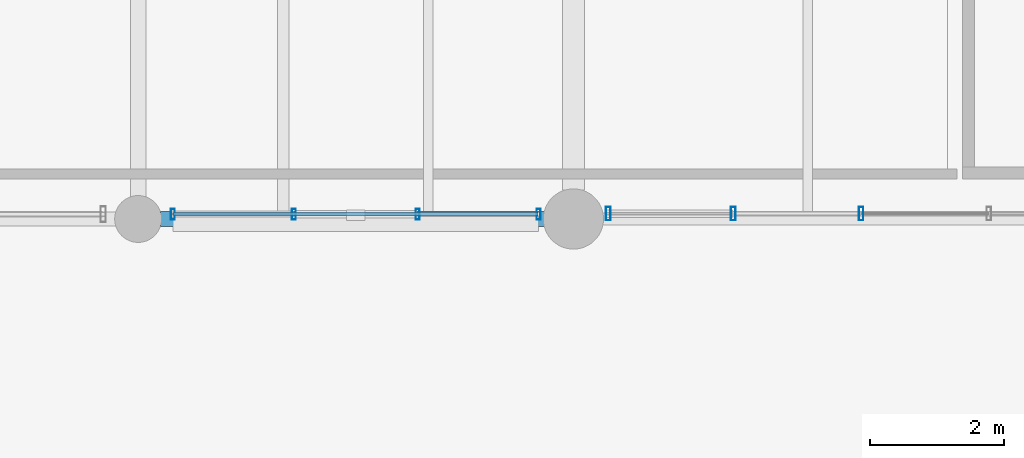
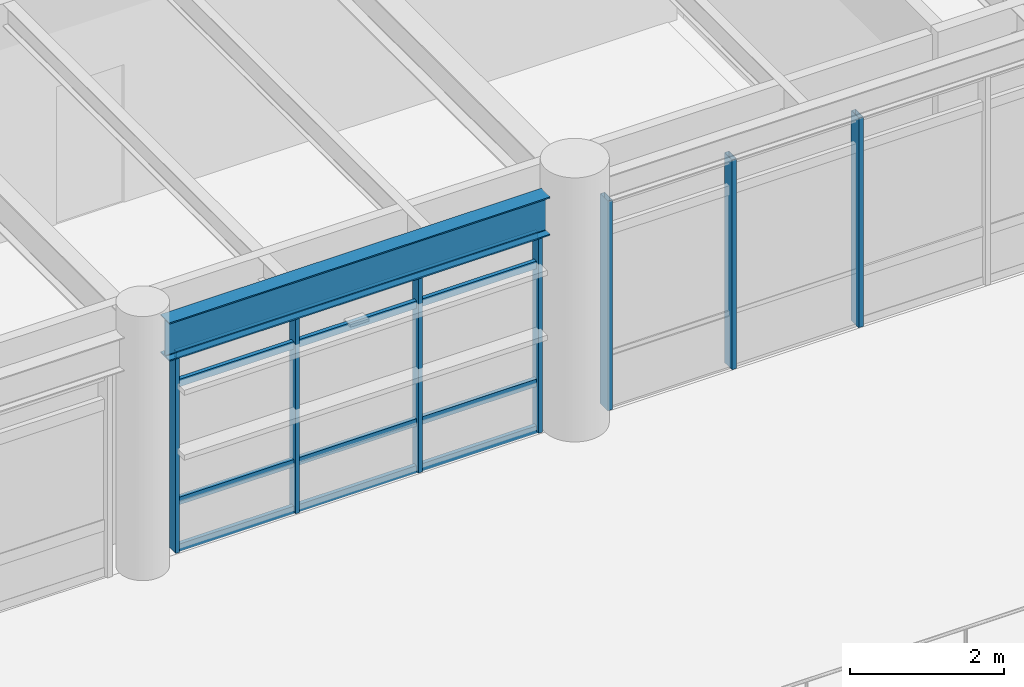
# One storey, part 8 of 56: 11 members, 1 beam, 2 elements without a shape of their own.
"""IFC4 building model written with IfcOpenShell, lengths in metres."""

from ifc_helpers import new_model, si_unit, direction, frame, origin, origin_2d, place, context, subcontext, project, spatial, hollow_rectangle, i_section, extrude, material, material_profile, profile_set, type_object, element, aggregate, save


model = new_model("IFC4")

# Units and contexts
model_context = context("Model", 3, precision=1e-05, world=origin(), true_north=direction((0.0, 1.0)))
body_context = subcontext(model_context, "Body", "Model", "MODEL_VIEW")
ifc_project = project(units=[si_unit("LENGTHUNIT", "METRE"), si_unit("AREAUNIT", "SQUARE_METRE"), si_unit("VOLUMEUNIT", "CUBIC_METRE"), si_unit("PLANEANGLEUNIT", "RADIAN"), si_unit("MASSUNIT", "GRAM", prefix="KILO"), si_unit("THERMODYNAMICTEMPERATUREUNIT", "KELVIN"), si_unit("POWERUNIT", "WATT")], contexts=[model_context])

# Site, building, storey
site_placement = place(None, origin())
site = spatial("IfcSite", under=ifc_project, at=site_placement, CompositionType="ELEMENT")
building_placement = place(site_placement, origin())
building = spatial("IfcBuilding", under=site, at=building_placement, Name="Tepalcoro Natatorium and Aquatics Centre", CompositionType="ELEMENT")
storey_placement = place(building_placement, frame((0.0, 0.0, 14.800048828125)))
storey = spatial("IfcBuildingStorey", under=building, at=storey_placement, Name="L03", CompositionType="ELEMENT", Elevation=14.800048828125)

# Curtain wall, members
ifc_material_1 = material(Name="Bronze-Anodised Extruded Aluminium Alloy EN AW-6063 T6", Category="aluminium")
curtain_wall_type_1 = type_object("IfcCurtainWallType", Name="CW_V4_VILLAGE", PredefinedType="USERDEFINED", material=ifc_material_1)
curtain_wall_1_placement = place(storey_placement, origin())
curtain_wall_1 = element("IfcCurtainWall", 1, at=curtain_wall_1_placement, inside=storey, type_object=curtain_wall_type_1, Name="V5 L03 S Unitised Curtain Wall Bay 3", ObjectType="UNITISED STOREFRONT", PredefinedType="USERDEFINED")
ifc_material_profile_1 = material_profile(ifc_material_1, hollow_rectangle(XDim=0.06005859375, YDim=0.159912109375, WallThickness=0.00390625, at=origin_2d()), Name="AL60X160X4")
ifc_profile_set_1 = profile_set([ifc_material_profile_1], Name="Bronze-Anodised Extruded Aluminium Alloy EN AW-6063 T6")
member_type_1 = type_object("IfcMemberType", Name="CW_MUL_60x160", PredefinedType="MULLION", material=ifc_profile_set_1)
member_1_placement = place(storey_placement, frame((125.52001953125, 94.0712890625, 0.02001953125), z_axis=(0.0, 0.0, 1.0), x_axis=(1.0, 0.0, 0.0)))
member_1 = element("IfcMember", 2, at=member_1_placement, type_object=member_type_1, Name="CW_V4_VILLAGE Curtain Wall Mullion", PredefinedType="MULLION", context=body_context, shape_type="SweptSolid", body=[
    extrude(hollow_rectangle(XDim=0.06005859375, YDim=0.159912109375, WallThickness=0.00390625, at=origin_2d()), origin(), (0.0, 0.0, 1.0), 3.137939453125),
])
member_2_placement = place(storey_placement, frame((127.32666015625, 94.0712890625, 0.02001953125), z_axis=(0.0, 0.0, 1.0), x_axis=(1.0, 0.0, 0.0)))
member_2 = element("IfcMember", 3, at=member_2_placement, type_object=member_type_1, Name="CW_V4_VILLAGE Curtain Wall Mullion", PredefinedType="MULLION", context=body_context, shape_type="SweptSolid", body=[
    extrude(hollow_rectangle(XDim=0.06005859375, YDim=0.159912109375, WallThickness=0.00390625, at=origin_2d()), origin(), (0.0, 0.0, 1.0), 3.137939453125),
])
member_3_placement = place(storey_placement, frame((129.17333984375, 94.0712890625, 0.02001953125), z_axis=(0.0, 0.0, 1.0), x_axis=(1.0, 0.0, 0.0)))
member_3 = element("IfcMember", 4, at=member_3_placement, type_object=member_type_1, Name="CW_V4_VILLAGE Curtain Wall Mullion", PredefinedType="MULLION", context=body_context, shape_type="SweptSolid", body=[
    extrude(hollow_rectangle(XDim=0.06005859375, YDim=0.159912109375, WallThickness=0.00390625, at=origin_2d()), origin(), (0.0, 0.0, 1.0), 3.137939453125),
])
member_4_placement = place(storey_placement, frame((130.97998046875, 94.0712890625, 0.02001953125), z_axis=(0.0, 0.0, 1.0), x_axis=(1.0, 0.0, 0.0)))
member_4 = element("IfcMember", 5, at=member_4_placement, type_object=member_type_1, Name="CW_V4_VILLAGE Curtain Wall Mullion", PredefinedType="MULLION", context=body_context, shape_type="SweptSolid", body=[
    extrude(hollow_rectangle(XDim=0.06005859375, YDim=0.159912109375, WallThickness=0.00390625, at=origin_2d()), origin(), (0.0, 0.0, 1.0), 3.137939453125),
])

curtain_wall_type_2 = type_object("IfcCurtainWallType", Name="CW_V5_LOWER", PredefinedType="USERDEFINED", material=ifc_material_1)
curtain_wall_2_placement = place(storey_placement, origin())
curtain_wall_2 = element("IfcCurtainWall", 6, at=curtain_wall_2_placement, inside=storey, type_object=curtain_wall_type_2, Name="V5 L03 S Unitised Curtain Wall Bay 4", ObjectType="UNITISED STOREFRONT", PredefinedType="USERDEFINED")
ifc_material_profile_2 = material_profile(ifc_material_1, hollow_rectangle(XDim=0.070068359375, YDim=0.199951171875, WallThickness=0.0048828125, at=origin_2d()), Name="AL70X200X5")
ifc_profile_set_2 = profile_set([ifc_material_profile_2], Name="Bronze-Anodised Extruded Aluminium Alloy EN AW-6063 T6")
member_type_2 = type_object("IfcMemberType", Name="CW_MUL_70x200", PredefinedType="MULLION", material=ifc_profile_set_2)
member_5_placement = place(storey_placement, frame((132.02001953125, 94.080078125, 0.02001953125), z_axis=(0.0, 0.0, 1.0), x_axis=(1.0, 0.0, 0.0)))
member_5 = element("IfcMember", 7, at=member_5_placement, type_object=member_type_2, Name="CW_V5_LOWER Curtain Wall Mullion", PredefinedType="MULLION", context=body_context, shape_type="SweptSolid", body=[
    extrude(hollow_rectangle(XDim=0.070068359375, YDim=0.199951171875, WallThickness=0.0048828125, at=origin_2d()), origin(), (0.0, 0.0, 1.0), 3.3369140625),
])
member_6_placement = place(storey_placement, frame((133.887939453125, 94.080078125, 0.02001953125), z_axis=(0.0, 0.0, 1.0), x_axis=(1.0, 0.0, 0.0)))
member_6 = element("IfcMember", 8, at=member_6_placement, type_object=member_type_2, Name="CW_V5_LOWER Curtain Wall Mullion", PredefinedType="MULLION", context=body_context, shape_type="SweptSolid", body=[
    extrude(hollow_rectangle(XDim=0.070068359375, YDim=0.199951171875, WallThickness=0.0048828125, at=origin_2d()), origin(), (0.0, 0.0, 1.0), 3.3369140625),
])
member_7_placement = place(storey_placement, frame((135.7958984375, 94.080078125, 0.02001953125), z_axis=(0.0, 0.0, 1.0), x_axis=(1.0, 0.0, 0.0)))
member_7 = element("IfcMember", 9, at=member_7_placement, type_object=member_type_2, Name="CW_V5_LOWER Curtain Wall Mullion", PredefinedType="MULLION", context=body_context, shape_type="SweptSolid", body=[
    extrude(hollow_rectangle(XDim=0.070068359375, YDim=0.199951171875, WallThickness=0.0048828125, at=origin_2d()), origin(), (0.0, 0.0, 1.0), 3.3369140625),
])
aggregate(curtain_wall_2, [member_5, member_6, member_7])

# Member
ifc_material_profile_3 = material_profile(ifc_material_1, hollow_rectangle(XDim=0.06005859375, YDim=0.1201171875, WallThickness=0.00390625, at=origin_2d()), Name="AL60X120X4")
ifc_profile_set_3 = profile_set([ifc_material_profile_3], Name="Bronze-Anodised Extruded Aluminium Alloy EN AW-6063 T6")
member_type_3 = type_object("IfcMemberType", Name="CW_TRN_60x120", PredefinedType="USERDEFINED", material=ifc_profile_set_3)
member_8_placement = place(storey_placement, frame((125.530029296875, 94.0712890625, 0.050048828125), z_axis=(1.0, 0.0, 0.0), x_axis=(0.0, 1.0, 0.0)))
member_8 = element("IfcMember", 10, at=member_8_placement, type_object=member_type_3, Name="CW_V4_VILLAGE Curtain Wall Transom", ObjectType="TRANSOM", PredefinedType="USERDEFINED", context=body_context, shape_type="SweptSolid", body=[
    extrude(hollow_rectangle(XDim=0.06005859375, YDim=0.1201171875, WallThickness=0.00390625, at=origin_2d()), origin(), (0.0, 0.0, 1.0), 5.43994140625),
])

member_9_placement = place(storey_placement, frame((125.530029296875, 94.0712890625, 0.79443359375), z_axis=(1.0, 0.0, 0.0), x_axis=(0.0, 1.0, 0.0)))
member_9 = element("IfcMember", 11, at=member_9_placement, type_object=member_type_3, Name="CW_V4_VILLAGE Curtain Wall Transom", ObjectType="TRANSOM", PredefinedType="USERDEFINED", context=body_context, shape_type="SweptSolid", body=[
    extrude(hollow_rectangle(XDim=0.06005859375, YDim=0.1201171875, WallThickness=0.00390625, at=origin_2d()), origin(), (0.0, 0.0, 1.0), 5.43994140625),
])

member_10_placement = place(storey_placement, frame((125.530029296875, 94.0712890625, 2.66943359375), z_axis=(1.0, 0.0, 0.0), x_axis=(0.0, 1.0, 0.0)))
member_10 = element("IfcMember", 12, at=member_10_placement, type_object=member_type_3, Name="CW_V4_VILLAGE Curtain Wall Transom", ObjectType="TRANSOM", PredefinedType="USERDEFINED", context=body_context, shape_type="SweptSolid", body=[
    extrude(hollow_rectangle(XDim=0.06005859375, YDim=0.1201171875, WallThickness=0.00390625, at=origin_2d()), origin(), (0.0, 0.0, 1.0), 5.43994140625),
])

member_11_placement = place(storey_placement, frame((125.530029296875, 94.0712890625, 3.1279296875), z_axis=(1.0, 0.0, 0.0), x_axis=(0.0, 1.0, 0.0)))
member_11 = element("IfcMember", 13, at=member_11_placement, type_object=member_type_3, Name="CW_V4_VILLAGE Curtain Wall Transom", ObjectType="TRANSOM", PredefinedType="USERDEFINED", context=body_context, shape_type="SweptSolid", body=[
    extrude(hollow_rectangle(XDim=0.06005859375, YDim=0.1201171875, WallThickness=0.00390625, at=origin_2d()), origin(), (0.0, 0.0, 1.0), 5.43994140625),
])

aggregate(curtain_wall_1, [member_1, member_2, member_3, member_4, member_8, member_9, member_10, member_11])

# Beam
ifc_material_2 = material(Name="Steel ASTM A992 Grade 50 (Fy 345 MPa)", Category="steel")
ifc_material_profile_4 = material_profile(ifc_material_2, i_section(OverallWidth=0.22900390625, OverallDepth=0.612060546875, WebThickness=0.011962890625, FlangeThickness=0.02001953125, FilletRadius=0.013916015625, at=origin_2d()), Name="W24X84")
ifc_profile_set_4 = profile_set([ifc_material_profile_4], Name="Steel ASTM A992 Grade 50 (Fy 345 MPa)")
beam_type = type_object("IfcBeamType", Name="SP_W24x84", PredefinedType="SPANDREL", material=ifc_profile_set_4)
beam_placement = place(storey_placement, frame((125.3349609375, 94.0, 3.4990234375), z_axis=(1.0, 0.0, 0.0), x_axis=(0.0, 1.0, 0.0)))
element("IfcBeam", 14, at=beam_placement, inside=storey, type_object=beam_type, Name="V5 L03 Grid Girder X", PredefinedType="SPANDREL", context=body_context, shape_type="SweptSolid", body=[
    extrude(i_section(OverallWidth=0.22900390625, OverallDepth=0.612060546875, WebThickness=0.011962890625, FlangeThickness=0.02001953125, FilletRadius=0.013916015625, at=origin_2d()), origin(), (0.0, 0.0, 1.0), 5.72998046875),
])

save(model, "model.ifc")
